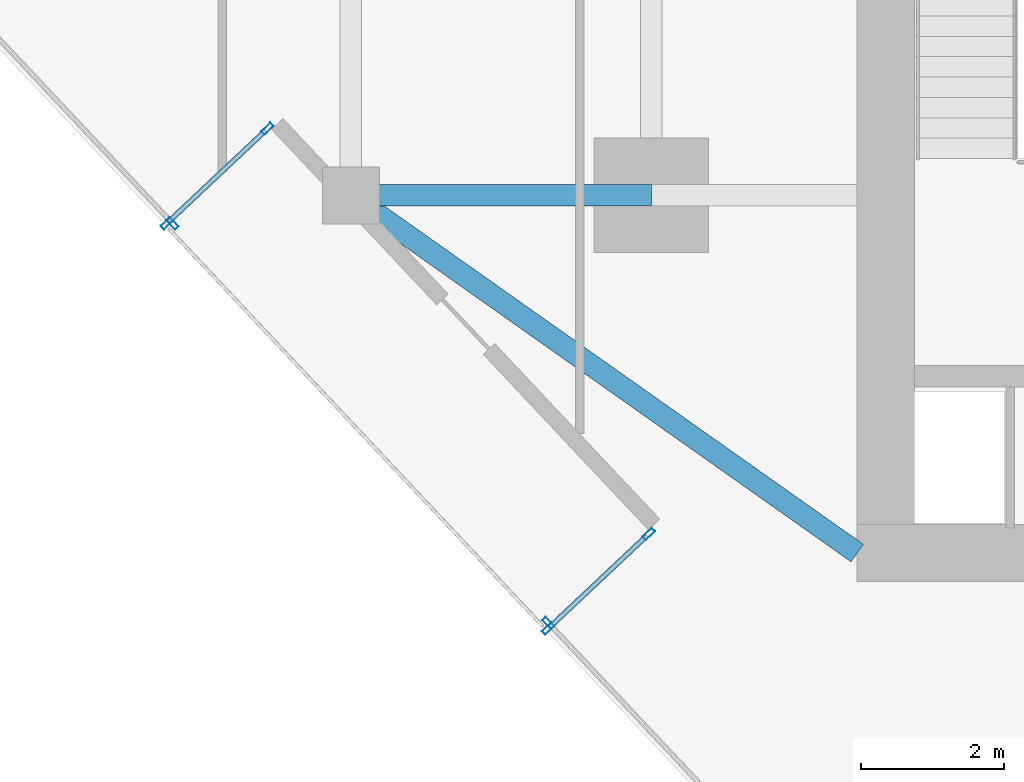
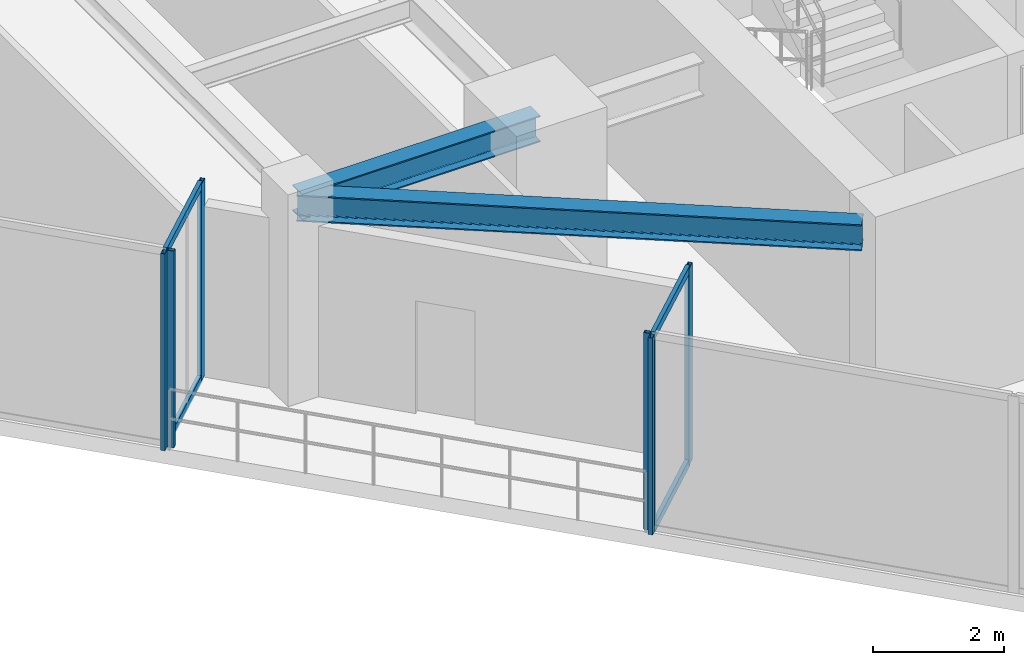
# One storey, part 2 of 25: 10 members, 2 beams, 4 elements without a shape of their own.
"""IFC4 building model written with IfcOpenShell, lengths in metres."""

from ifc_helpers import new_model, si_unit, direction, frame, origin, origin_2d, place, context, subcontext, project, spatial, hollow_rectangle, i_section, extrude, source, transform, mapped, material, material_profile, profile_set, type_object, type_shapes, element, aggregate, save


model = new_model("IFC4")

# Units and contexts
model_context = context("Model", 3, precision=1e-05, world=origin(), true_north=direction((0.0, 1.0)))
body_context = subcontext(model_context, "Body", "Model", "MODEL_VIEW")
ifc_project = project(units=[si_unit("LENGTHUNIT", "METRE"), si_unit("AREAUNIT", "SQUARE_METRE"), si_unit("VOLUMEUNIT", "CUBIC_METRE"), si_unit("PLANEANGLEUNIT", "RADIAN"), si_unit("MASSUNIT", "GRAM", prefix="KILO")], contexts=[model_context])

# Site, building, storey
site_placement = place(None, origin())
site = spatial("IfcSite", under=ifc_project, at=site_placement, CompositionType="ELEMENT")
building_placement = place(site_placement, origin())
building = spatial("IfcBuilding", under=site, at=building_placement, Name="Krantzveldt Concourse Tower", CompositionType="ELEMENT")
storey_placement = place(building_placement, frame((0.0, 0.0, 238.89990234375)))
storey = spatial("IfcBuildingStorey", under=building, at=storey_placement, Name="L58", CompositionType="ELEMENT", Elevation=238.89990234375)

# Beams
ifc_material_1 = material(Name="Steel S355JR", Category="steel")
ifc_material_profile_1 = material_profile(ifc_material_1, i_section(OverallWidth=0.300048828125, OverallDepth=0.489990234375, WebThickness=0.011962890625, FlangeThickness=0.02294921875, FilletRadius=0.027099609375, at=origin_2d()), Name="Steel S355JR", Category="steel")
ifc_profile_set_1 = profile_set([ifc_material_profile_1], Name="Steel S355JR - HEA 500")
beam_type = type_object("IfcBeamType", Name="BM-B-HEA500", PredefinedType="BEAM", material=ifc_profile_set_1)
shared_shape_1 = source(origin(), body_context, "Body", "SweptSolid", [
    extrude(i_section(OverallWidth=0.300048828125, OverallDepth=0.489990234375, WebThickness=0.011962890625, FlangeThickness=0.02294921875, FilletRadius=0.027099609375, at=origin_2d()), origin(), (0.0, 0.0, 1.0), 4.199951171875),
])
beam_1_placement = place(storey_placement, frame((21.0, 15.89990234375, 3.425048828125), z_axis=(1.0, 0.0, 0.0), x_axis=(0.0, 1.0, 0.0)))
element("IfcBeam", 1, at=beam_1_placement, inside=storey, type_object=beam_type, Name="L58 Tower Girder BR-RL1", PredefinedType="BEAM", context=body_context, shape_type="MappedRepresentation", body=[
    mapped(shared_shape_1, transform((0.0, 0.0, 0.0), x_axis=(1.0, 0.0, 0.0), y_axis=(0.0, 1.0, 0.0), z_axis=(0.0, 0.0, 1.0), scale=1.0)),
])
shared_shape_2 = source(origin(), body_context, "Body", "SweptSolid", [
    extrude(i_section(OverallWidth=0.300048828125, OverallDepth=0.489990234375, WebThickness=0.011962890625, FlangeThickness=0.02294921875, FilletRadius=0.027099609375, at=origin_2d()), origin(), (0.0, 0.0, 1.0), 8.667724609375),
])
type_shapes(beam_type, [shared_shape_1, shared_shape_2])
beam_2_placement = place(storey_placement, frame((21.0, 15.89990234375, 3.425048828125), z_axis=(0.81684294656, -0.576860122261, 0.0), x_axis=(0.576860122261, 0.81684294656, 0.0)))
element("IfcBeam", 2, at=beam_2_placement, inside=storey, type_object=beam_type, Name="L58 Tower Girder BR-CSW", PredefinedType="BEAM", context=body_context, shape_type="MappedRepresentation", body=[
    mapped(shared_shape_2, transform((0.0, 0.0, 0.0), x_axis=(1.0, 0.0, 0.0), y_axis=(0.0, 1.0, 0.0), z_axis=(0.0, 0.0, 1.0), scale=1.0)),
])

# Curtain wall, member
ifc_material_2 = material(Name="Anodised aluminium 6063-T6", Category="aluminium")
curtain_wall_type_1 = type_object("IfcCurtainWallType", Name="CW3", PredefinedType="USERDEFINED", material=ifc_material_2)
curtain_wall_1_placement = place(storey_placement, origin())
curtain_wall_1 = element("IfcCurtainWall", 3, at=curtain_wall_1_placement, inside=storey, type_object=curtain_wall_type_1, Name="CW-L58-F04", ObjectType="UNITISED CURTAIN WALL", PredefinedType="USERDEFINED")
ifc_material_profile_2 = material_profile(ifc_material_2, hollow_rectangle(XDim=0.070068359375, YDim=0.179931640625, WallThickness=0.0048828125, at=origin_2d()), Name="Anodised aluminium 6063-T6", Category="aluminium")
ifc_profile_set_2 = profile_set([ifc_material_profile_2], Name="Anodised aluminium 6063-T6 - ALU-MULL 180x70x5")
member_type_1 = type_object("IfcMemberType", Name="CW-MUL-180", PredefinedType="MULLION", material=ifc_profile_set_2)
shared_shape_3 = source(origin(), body_context, "Body", "SweptSolid", [
    extrude(hollow_rectangle(XDim=0.070068359375, YDim=0.179931640625, WallThickness=0.0048828125, at=origin_2d()), origin(), (0.0, 0.0, 1.0), 3.670166015625),
])
type_shapes(member_type_1, [shared_shape_3])
member_1_placement = place(storey_placement, frame((18.50634765625, 15.5087890625, 0.0), z_axis=(0.0, 0.0, 1.0), x_axis=(0.728370998021, 0.685182960414, 0.0)))
member_1 = element("IfcMember", 4, at=member_1_placement, type_object=member_type_1, Name="CW-Z34 mullion 3", PredefinedType="MULLION", context=body_context, shape_type="MappedRepresentation", body=[
    mapped(shared_shape_3, transform((0.0, 0.0, 0.0), x_axis=(1.0, 0.0, 0.0), y_axis=(0.0, 1.0, 0.0), z_axis=(0.0, 0.0, 1.0), scale=1.0)),
])
aggregate(curtain_wall_1, [member_1])

# Curtain wall, members
curtain_wall_type_2 = type_object("IfcCurtainWallType", Name="CW6", PredefinedType="USERDEFINED", material=ifc_material_2)
curtain_wall_2_placement = place(storey_placement, origin())
curtain_wall_2 = element("IfcCurtainWall", 5, at=curtain_wall_2_placement, inside=storey, type_object=curtain_wall_type_2, Name="CW-L58-TR05", ObjectType="UNITISED CURTAIN WALL", PredefinedType="USERDEFINED")
member_2_placement = place(storey_placement, frame((18.428466796875, 15.510986328125, 0.0), z_axis=(0.0, 0.0, 1.0), x_axis=(-0.685181887913, 0.728372006928, 0.0)))
member_2 = element("IfcMember", 6, at=member_2_placement, type_object=member_type_1, Name="CW-TERR mullion 1", PredefinedType="MULLION", context=body_context, shape_type="MappedRepresentation", body=[
    mapped(shared_shape_3, transform((0.0, 0.0, 0.0), x_axis=(1.0, 0.0, 0.0), y_axis=(0.0, 1.0, 0.0), z_axis=(0.0, 0.0, 1.0), scale=1.0)),
])
member_3_placement = place(storey_placement, frame((19.834228515625, 16.83349609375, 0.0), z_axis=(0.0, 0.0, 1.0), x_axis=(-0.685181887913, 0.728372006928, 0.0)))
member_3 = element("IfcMember", 7, at=member_3_placement, type_object=member_type_1, Name="CW-TERR mullion 2", PredefinedType="MULLION", context=body_context, shape_type="MappedRepresentation", body=[
    mapped(shared_shape_3, transform((0.0, 0.0, 0.0), x_axis=(1.0, 0.0, 0.0), y_axis=(0.0, 1.0, 0.0), z_axis=(0.0, 0.0, 1.0), scale=1.0)),
])

curtain_wall_3_placement = place(storey_placement, origin())
curtain_wall_3 = element("IfcCurtainWall", 8, at=curtain_wall_3_placement, inside=storey, type_object=curtain_wall_type_2, Name="CW-L58-TR07", ObjectType="UNITISED CURTAIN WALL", PredefinedType="USERDEFINED")
member_4_placement = place(storey_placement, frame((25.1650390625, 11.166748046875, 0.0), z_axis=(0.0, 0.0, 1.0), x_axis=(0.685181887913, -0.728372006928, 0.0)))
member_4 = element("IfcMember", 9, at=member_4_placement, type_object=member_type_1, Name="CW-TERR mullion 1", PredefinedType="MULLION", context=body_context, shape_type="MappedRepresentation", body=[
    mapped(shared_shape_3, transform((0.0, 0.0, 0.0), x_axis=(1.0, 0.0, 0.0), y_axis=(0.0, 1.0, 0.0), z_axis=(0.0, 0.0, 1.0), scale=1.0)),
])
member_5_placement = place(storey_placement, frame((23.75927734375, 9.844482421875, 0.0), z_axis=(0.0, 0.0, 1.0), x_axis=(0.685181887913, -0.728372006928, 0.0)))
member_5 = element("IfcMember", 10, at=member_5_placement, type_object=member_type_1, Name="CW-TERR mullion 2", PredefinedType="MULLION", context=body_context, shape_type="MappedRepresentation", body=[
    mapped(shared_shape_3, transform((0.0, 0.0, 0.0), x_axis=(1.0, 0.0, 0.0), y_axis=(0.0, 1.0, 0.0), z_axis=(0.0, 0.0, 1.0), scale=1.0)),
])

# Curtain wall, member
curtain_wall_4_placement = place(storey_placement, origin())
curtain_wall_4 = element("IfcCurtainWall", 11, at=curtain_wall_4_placement, inside=storey, type_object=curtain_wall_type_1, Name="CW-L58-F08", ObjectType="UNITISED CURTAIN WALL", PredefinedType="USERDEFINED")
member_6_placement = place(storey_placement, frame((23.76171875, 9.922119140625, 0.0), z_axis=(0.0, 0.0, 1.0), x_axis=(0.728370998021, 0.685182960414, 0.0)))
member_6 = element("IfcMember", 12, at=member_6_placement, type_object=member_type_1, Name="CW-Z34 mullion 1", PredefinedType="MULLION", context=body_context, shape_type="MappedRepresentation", body=[
    mapped(shared_shape_3, transform((0.0, 0.0, 0.0), x_axis=(1.0, 0.0, 0.0), y_axis=(0.0, 1.0, 0.0), z_axis=(0.0, 0.0, 1.0), scale=1.0)),
])
aggregate(curtain_wall_4, [member_6])

# Member
ifc_material_profile_3 = material_profile(ifc_material_2, hollow_rectangle(XDim=0.070068359375, YDim=0.139892578125, WallThickness=0.0048828125, at=origin_2d()), Name="Anodised aluminium 6063-T6", Category="aluminium")
ifc_profile_set_3 = profile_set([ifc_material_profile_3], Name="Anodised aluminium 6063-T6 - ALU-TRAN 140x70x5")
member_type_2 = type_object("IfcMemberType", Name="CW-TRN-150", PredefinedType="USERDEFINED", material=ifc_profile_set_3)
shared_shape_4 = source(origin(), body_context, "Body", "SweptSolid", [
    extrude(hollow_rectangle(XDim=0.070068359375, YDim=0.139892578125, WallThickness=0.0048828125, at=origin_2d()), origin(), (0.0, 0.0, 1.0), 1.85986328125),
])
type_shapes(member_type_2, [shared_shape_4])
member_7_placement = place(storey_placement, frame((18.4541015625, 15.53515625, 0.03515625), z_axis=(0.728369526423, 0.685184524766, 0.0), x_axis=(-0.685184524766, 0.728369526423, 0.0)))
member_7 = element("IfcMember", 13, at=member_7_placement, type_object=member_type_2, Name="CW-TERR transom 1.1", ObjectType="TRANSOM", PredefinedType="USERDEFINED", context=body_context, shape_type="MappedRepresentation", body=[
    mapped(shared_shape_4, transform((0.0, 0.0, 0.0), x_axis=(1.0, 0.0, 0.0), y_axis=(0.0, 1.0, 0.0), z_axis=(0.0, 0.0, 1.0), scale=1.0)),
])

member_8_placement = place(storey_placement, frame((18.4541015625, 15.53515625, 3.635009765625), z_axis=(0.728369526423, 0.685184524766, 0.0), x_axis=(-0.685184524766, 0.728369526423, 0.0)))
member_8 = element("IfcMember", 14, at=member_8_placement, type_object=member_type_2, Name="CW-TERR transom 1.2", ObjectType="TRANSOM", PredefinedType="USERDEFINED", context=body_context, shape_type="MappedRepresentation", body=[
    mapped(shared_shape_4, transform((0.0, 0.0, 0.0), x_axis=(1.0, 0.0, 0.0), y_axis=(0.0, 1.0, 0.0), z_axis=(0.0, 0.0, 1.0), scale=1.0)),
])

aggregate(curtain_wall_2, [member_2, member_3, member_7, member_8])

member_9_placement = place(storey_placement, frame((25.139404296875, 11.142822265625, 0.03515625), z_axis=(-0.728369526423, -0.685184524766, 0.0), x_axis=(0.685184524766, -0.728369526423, 0.0)))
member_9 = element("IfcMember", 15, at=member_9_placement, type_object=member_type_2, Name="CW-TERR transom 1.1", ObjectType="TRANSOM", PredefinedType="USERDEFINED", context=body_context, shape_type="MappedRepresentation", body=[
    mapped(shared_shape_4, transform((0.0, 0.0, 0.0), x_axis=(1.0, 0.0, 0.0), y_axis=(0.0, 1.0, 0.0), z_axis=(0.0, 0.0, 1.0), scale=1.0)),
])

member_10_placement = place(storey_placement, frame((25.139404296875, 11.142822265625, 3.635009765625), z_axis=(-0.728369526423, -0.685184524766, 0.0), x_axis=(0.685184524766, -0.728369526423, 0.0)))
member_10 = element("IfcMember", 16, at=member_10_placement, type_object=member_type_2, Name="CW-TERR transom 1.2", ObjectType="TRANSOM", PredefinedType="USERDEFINED", context=body_context, shape_type="MappedRepresentation", body=[
    mapped(shared_shape_4, transform((0.0, 0.0, 0.0), x_axis=(1.0, 0.0, 0.0), y_axis=(0.0, 1.0, 0.0), z_axis=(0.0, 0.0, 1.0), scale=1.0)),
])

aggregate(curtain_wall_3, [member_4, member_5, member_9, member_10])

save(model, "model.ifc")
